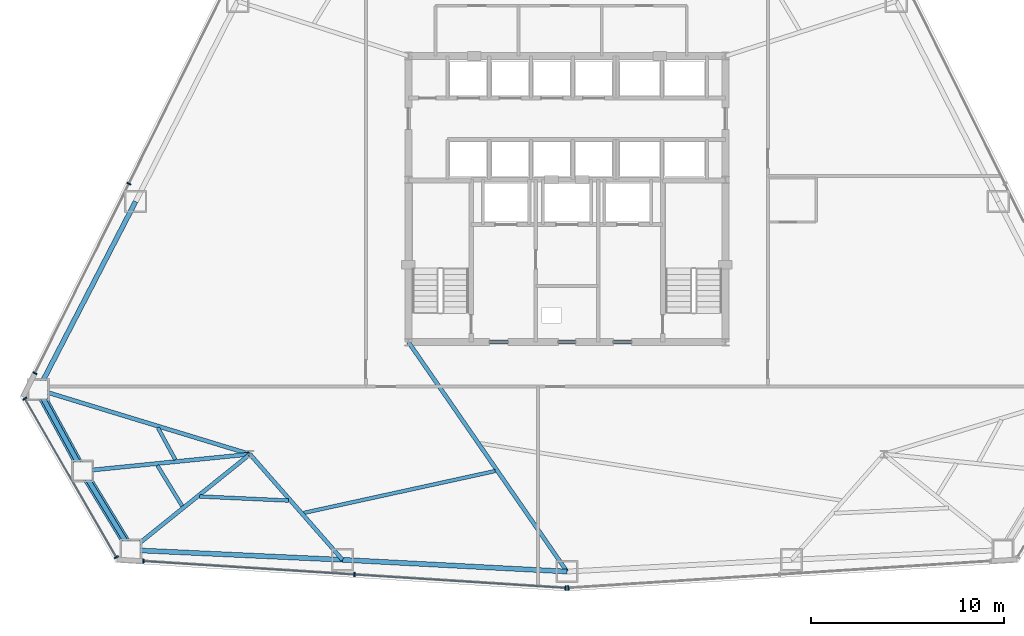
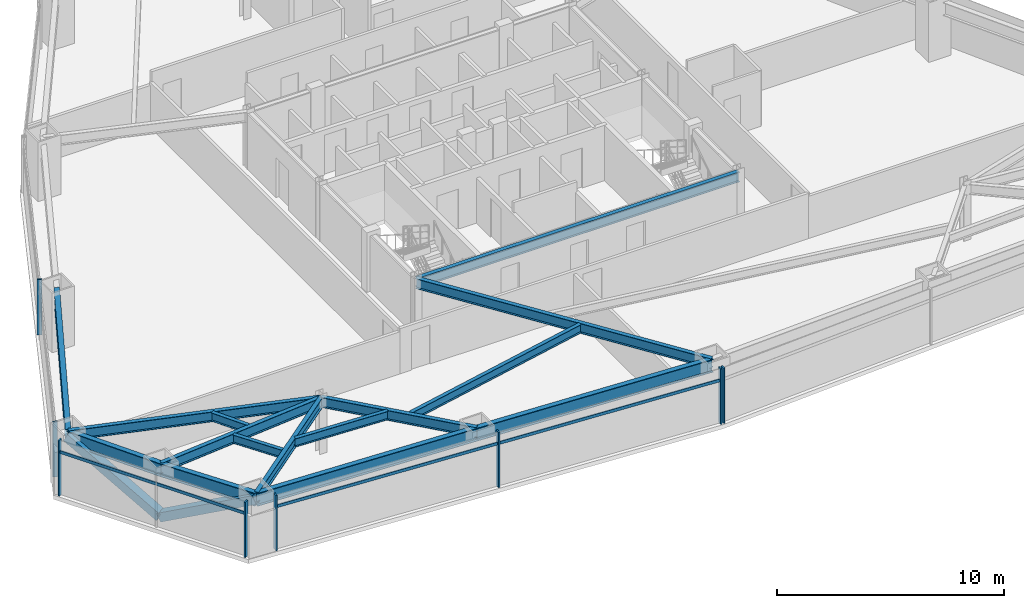
# One storey, part 4 of 12: 15 beams, 12 members, 4 elements without a shape of their own.
"""IFC4 building model written with IfcOpenShell, lengths in metres."""

from ifc_helpers import new_model, si_unit, direction, frame, origin, origin_2d, place, context, subcontext, project, spatial, rectangle, hollow_rectangle, i_section, extrude, source, transform, mapped, material, layer, layer_set, material_profile, profile_set, type_object, type_shapes, element, aggregate, save


model = new_model("IFC4")

# Units and contexts
model_context = context("Model", 3, precision=1e-05, world=origin(), true_north=direction((0.0, 1.0)))
body_context = subcontext(model_context, "Body", "Model", "MODEL_VIEW")
ifc_project = project(units=[si_unit("LENGTHUNIT", "METRE"), si_unit("AREAUNIT", "SQUARE_METRE"), si_unit("VOLUMEUNIT", "CUBIC_METRE"), si_unit("PLANEANGLEUNIT", "RADIAN"), si_unit("MASSUNIT", "GRAM", prefix="KILO")], contexts=[model_context])

# Site, building, storey
site_placement = place(None, origin())
site = spatial("IfcSite", under=ifc_project, at=site_placement, CompositionType="ELEMENT")
building_placement = place(site_placement, origin())
building = spatial("IfcBuilding", under=site, at=building_placement, Name="Varakhsha Concourse Tower", CompositionType="ELEMENT")
storey_placement = place(building_placement, frame((0.0, 0.0, 62.39990234375)))
storey = spatial("IfcBuildingStorey", under=building, at=storey_placement, Name="L17", CompositionType="ELEMENT", Elevation=62.39990234375)

# Beams
ifc_material_1 = material(Name="Structural Steel ASTM A992 Grade 50", Category="steel")
ifc_material_profile_1 = material_profile(ifc_material_1, i_section(OverallWidth=0.19091796875, OverallDepth=0.45703125, WebThickness=0.009033203125, FlangeThickness=0.013916015625, at=origin_2d()), Name="W18X50")
ifc_profile_set_1 = profile_set([ifc_material_profile_1], Name="Structural Steel ASTM A992 Grade 50")
beam_type_1 = type_object("IfcBeamType", Name="BM-JST-W18X50", PredefinedType="JOIST", material=ifc_profile_set_1)
beam_1_placement = place(storey_placement, frame((18.834228515625, 11.9736328125, 2.751708984375), z_axis=(0.478526062289, -0.878073349846, 0.0), x_axis=(0.878073349846, 0.478526062289, 0.0)))
element("IfcBeam", 1, at=beam_1_placement, inside=storey, type_object=beam_type_1, Name="BM-TJST-L17-07", PredefinedType="JOIST", context=body_context, shape_type="SweptSolid", body=[
    extrude(i_section(OverallWidth=0.19091796875, OverallDepth=0.45703125, WebThickness=0.009033203125, FlangeThickness=0.013916015625, at=origin_2d()), origin(), (0.0, 0.0, 1.0), 1.888671875),
])
beam_2_placement = place(storey_placement, frame((18.80908203125, 10.0205078125, 2.751708984375), z_axis=(0.521241559625, -0.853409184694, 0.0), x_axis=(0.853409184694, 0.521241559625, 0.0)))
element("IfcBeam", 2, at=beam_2_placement, inside=storey, type_object=beam_type_1, Name="BM-TJST-L17-08", PredefinedType="JOIST", context=body_context, shape_type="SweptSolid", body=[
    extrude(i_section(OverallWidth=0.19091796875, OverallDepth=0.45703125, WebThickness=0.009033203125, FlangeThickness=0.013916015625, at=origin_2d()), origin(), (0.0, 0.0, 1.0), 2.463623046875),
])
beam_3_placement = place(storey_placement, frame((20.999755859375, 8.413818359375, 2.751708984375), z_axis=(0.998933788082, -0.04616586431, 0.0), x_axis=(0.04616586431, 0.998933788082, 0.0)))
element("IfcBeam", 3, at=beam_3_placement, inside=storey, type_object=beam_type_1, Name="BM-TJST-L17-09", PredefinedType="JOIST", context=body_context, shape_type="SweptSolid", body=[
    extrude(i_section(OverallWidth=0.19091796875, OverallDepth=0.45703125, WebThickness=0.009033203125, FlangeThickness=0.013916015625, at=origin_2d()), origin(), (0.0, 0.0, 1.0), 4.600830078125),
])
beam_4_placement = place(storey_placement, frame((26.38720703125, 7.564208984375, 2.751708984375), z_axis=(0.976899545769, 0.213699034803, 0.0), x_axis=(-0.213699034803, 0.976899545769, 0.0)))
element("IfcBeam", 4, at=beam_4_placement, inside=storey, type_object=beam_type_1, Name="BM-TJST-L17-10", PredefinedType="JOIST", context=body_context, shape_type="SweptSolid", body=[
    extrude(i_section(OverallWidth=0.19091796875, OverallDepth=0.45703125, WebThickness=0.009033203125, FlangeThickness=0.013916015625, at=origin_2d()), origin(), (0.0, 0.0, 1.0), 10.13134765625),
])
ifc_material_profile_2 = material_profile(ifc_material_1, i_section(OverallWidth=0.2109375, OverallDepth=0.5390625, WebThickness=0.011962890625, FlangeThickness=0.01904296875, at=origin_2d()), Name="W21X73")
ifc_profile_set_2 = profile_set([ifc_material_profile_2], Name="Structural Steel ASTM A992 Grade 50")
beam_type_2 = type_object("IfcBeamType", Name="BM-RAD-W21X73", PredefinedType="BEAM", material=ifc_profile_set_2)
beam_5_placement = place(storey_placement, frame((31.800048828125, 16.39990234375, 2.710693359375), z_axis=(1.0, 0.0, 0.0), x_axis=(0.0, 1.0, 0.0)))
element("IfcBeam", 5, at=beam_5_placement, inside=storey, type_object=beam_type_2, Name="BM-TCORE-L17-CS", PredefinedType="BEAM", context=body_context, shape_type="SweptSolid", body=[
    extrude(i_section(OverallWidth=0.2109375, OverallDepth=0.5390625, WebThickness=0.011962890625, FlangeThickness=0.01904296875, at=origin_2d()), origin(), (0.0, 0.0, 1.0), 16.39990234375),
])
beam_6_placement = place(storey_placement, frame((23.60009765625, 10.60009765625, 2.710693359375), z_axis=(-0.956467040209, 0.291840369026, 0.0), x_axis=(-0.291840369026, -0.956467040209, 0.0)))
element("IfcBeam", 6, at=beam_6_placement, inside=storey, type_object=beam_type_2, Name="L17 Radial Floor Girder 07", PredefinedType="BEAM", context=body_context, shape_type="SweptSolid", body=[
    extrude(i_section(OverallWidth=0.2109375, OverallDepth=0.5390625, WebThickness=0.011962890625, FlangeThickness=0.01904296875, at=origin_2d()), origin(), (0.0, 0.0, 1.0), 11.448974609375),
])
beam_7_placement = place(storey_placement, frame((23.60009765625, 10.60009765625, 2.710693359375), z_axis=(-0.995021064191, -0.099664847443, 0.0), x_axis=(0.099664847443, -0.995021064191, 0.0)))
element("IfcBeam", 7, at=beam_7_placement, inside=storey, type_object=beam_type_2, Name="L17 Radial Floor Girder 08", PredefinedType="BEAM", context=body_context, shape_type="SweptSolid", body=[
    extrude(i_section(OverallWidth=0.2109375, OverallDepth=0.5390625, WebThickness=0.011962890625, FlangeThickness=0.01904296875, at=origin_2d()), origin(), (0.0, 0.0, 1.0), 8.700927734375),
])
beam_8_placement = place(storey_placement, frame((23.60009765625, 10.60009765625, 2.710693359375), z_axis=(-0.779042952089, -0.626970556566, 0.0), x_axis=(0.626970556566, -0.779042952089, 0.0)))
element("IfcBeam", 8, at=beam_8_placement, inside=storey, type_object=beam_type_2, Name="L17 Radial Floor Girder 09", PredefinedType="BEAM", context=body_context, shape_type="SweptSolid", body=[
    extrude(i_section(OverallWidth=0.2109375, OverallDepth=0.5390625, WebThickness=0.011962890625, FlangeThickness=0.01904296875, at=origin_2d()), origin(), (0.0, 0.0, 1.0), 7.90673828125),
])
beam_9_placement = place(storey_placement, frame((23.60009765625, 10.60009765625, 2.710693359375), z_axis=(0.658904355751, -0.75222672777, 0.0), x_axis=(0.75222672777, 0.658904355751, 0.0)))
element("IfcBeam", 9, at=beam_9_placement, inside=storey, type_object=beam_type_2, Name="L17 Radial Floor Girder 10", PredefinedType="BEAM", context=body_context, shape_type="SweptSolid", body=[
    extrude(i_section(OverallWidth=0.2109375, OverallDepth=0.5390625, WebThickness=0.011962890625, FlangeThickness=0.01904296875, at=origin_2d()), origin(), (0.0, 0.0, 1.0), 7.26220703125),
])
beam_10_placement = place(storey_placement, frame((31.800048828125, 16.39990234375, 2.710693359375), z_axis=(0.568374595771, -0.822769906403, 0.0), x_axis=(0.822769906403, 0.568374595771, 0.0)))
element("IfcBeam", 10, at=beam_10_placement, inside=storey, type_object=beam_type_2, Name="L17 Radial Floor Girder 11", PredefinedType="BEAM", context=body_context, shape_type="SweptSolid", body=[
    extrude(i_section(OverallWidth=0.2109375, OverallDepth=0.5390625, WebThickness=0.011962890625, FlangeThickness=0.01904296875, at=origin_2d()), origin(), (0.0, 0.0, 1.0), 14.427001953125),
])
ifc_material_profile_3 = material_profile(ifc_material_1, i_section(OverallWidth=0.25390625, OverallDepth=0.701904296875, WebThickness=0.014892578125, FlangeThickness=0.028076171875, at=origin_2d()), Name="W27X129")
ifc_profile_set_3 = profile_set([ifc_material_profile_3], Name="Structural Steel ASTM A992 Grade 50")
beam_type_3 = type_object("IfcBeamType", Name="BM-SPAN-W27X129", PredefinedType="SPANDREL", material=ifc_profile_set_3)
beam_11_placement = place(storey_placement, frame((17.68359375, 23.672607421875, 2.629150390625), z_axis=(-0.459480507345, -0.888187853649, 0.0), x_axis=(0.888187853649, -0.459480507345, 0.0)))
element("IfcBeam", 11, at=beam_11_placement, inside=storey, type_object=beam_type_3, Name="BM-SPAN-L17-06", PredefinedType="SPANDREL", context=body_context, shape_type="SweptSolid", body=[
    extrude(i_section(OverallWidth=0.25390625, OverallDepth=0.701904296875, WebThickness=0.014892578125, FlangeThickness=0.028076171875, at=origin_2d()), origin(), (0.0, 0.0, 1.0), 10.956298828125),
])
for number, where, z_axis, x_axis, name in (
    (12, (12.6494140625, 13.94140625, 2.629150390625), (0.478438059968, -0.878121302995, 0.0), (0.878121302995, 0.478438059968, 0.0), "BM-SPAN-L17-07"),
    (13, (14.9423828125, 9.73291015625, 2.629150390625), (0.521229514311, -0.853416541562, 0.0), (0.853416541562, 0.521229514311, 0.0), "BM-SPAN-L17-08"),
):
    element("IfcBeam", number, at=place(storey_placement, frame(where, z_axis=z_axis, x_axis=x_axis)), inside=storey, type_object=beam_type_3, Name=name, PredefinedType="SPANDREL", context=body_context, shape_type="SweptSolid", body=[
        extrude(i_section(OverallWidth=0.25390625, OverallDepth=0.701904296875, WebThickness=0.014892578125, FlangeThickness=0.028076171875, at=origin_2d()), origin(), (0.0, 0.0, 1.0), 4.792724609375),
    ])
beam_12_placement = place(storey_placement, frame((17.4404296875, 5.642822265625, 2.629150390625), z_axis=(0.998934635381, -0.046147526876, 0.0), x_axis=(0.046147526876, 0.998934635381, 0.0)))
element("IfcBeam", 14, at=beam_12_placement, inside=storey, type_object=beam_type_3, Name="BM-SPAN-L17-09", PredefinedType="SPANDREL", context=body_context, shape_type="SweptSolid", body=[
    extrude(i_section(OverallWidth=0.25390625, OverallDepth=0.701904296875, WebThickness=0.014892578125, FlangeThickness=0.028076171875, at=origin_2d()), origin(), (0.0, 0.0, 1.0), 10.95654296875),
])
beam_13_placement = place(storey_placement, frame((28.38525390625, 5.13720703125, 2.629150390625), z_axis=(0.998635285896, -0.05222610231, 0.0), x_axis=(0.05222610231, 0.998635285896, 0.0)))
element("IfcBeam", 15, at=beam_13_placement, inside=storey, type_object=beam_type_3, Name="BM-SPAN-L17-10", PredefinedType="SPANDREL", context=body_context, shape_type="SweptSolid", body=[
    extrude(i_section(OverallWidth=0.25390625, OverallDepth=0.701904296875, WebThickness=0.014892578125, FlangeThickness=0.028076171875, at=origin_2d()), origin(), (0.0, 0.0, 1.0), 11.630615234375),
])

# Members
ifc_material_2 = material(Name="Structural Steel ASTM A500 Grade C", Category="steel")
ifc_material_profile_4 = material_profile(ifc_material_2, hollow_rectangle(XDim=0.449951171875, YDim=0.449951171875, WallThickness=0.01904296875, at=origin_2d()), Name="HSS 450x450x19")
ifc_profile_set_4 = profile_set([ifc_material_profile_4], Name="Structural Steel ASTM A500 Grade C")
member_type_1 = type_object("IfcMemberType", Name="MB-TUBE-HSS450", PredefinedType="BRACE", material=ifc_profile_set_4)
shared_shape_1 = source(origin(), body_context, "Body", "SweptSolid", [
    extrude(hollow_rectangle(XDim=0.449951171875, YDim=0.449951171875, WallThickness=0.01904296875, at=origin_2d()), origin(), (0.0, 0.0, 1.0), 5.43359375),
])
type_shapes(member_type_1, [shared_shape_1])
for number, where, z_axis, x_axis, name in (
    (16, (14.9423828125, 9.73291015625, 0.1201171875), (-0.422004965626, 0.774544463103, 0.471160995481), (-0.878121302995, -0.478438059968, 0.0), "L17 Wind-Corner Tube Brace B03"),
    (17, (14.9423828125, 9.73291015625, 0.1201171875), (0.459748854082, -0.752753376899, 0.471161697019), (0.853416541562, 0.521229514311, 0.0), "L17 Wind-Corner Tube Brace B04"),
):
    element("IfcMember", number, at=place(storey_placement, frame(where, z_axis=z_axis, x_axis=x_axis)), inside=storey, type_object=member_type_1, Name=name, PredefinedType="BRACE", context=body_context, shape_type="MappedRepresentation", body=[
        mapped(shared_shape_1, transform((0.0, 0.0, 0.0), scale=1.0)),
    ])

# Curtain wall, members
ifc_material_3 = material(Name="Anodised Bronze Architectural Aluminium AA 6063-T6", Category="aluminium")
ifc_layer = layer(ifc_material_3, 0.219970703125, Name="CW-SYS-02")
ifc_layer_set = layer_set([ifc_layer], Name="Anodised Bronze Architectural Aluminium AA 6063-T6")
curtain_wall_type = type_object("IfcCurtainWallType", Name="CW-SYS-02", PredefinedType="NOTDEFINED", material=ifc_layer_set)
curtain_wall_1_placement = place(storey_placement, origin())
curtain_wall_1 = element("IfcCurtainWall", 18, at=curtain_wall_1_placement, inside=storey, type_object=curtain_wall_type, Name="L17 Crystal Curtain Wall F3", PredefinedType="NOTDEFINED")
ifc_material_profile_5 = material_profile(ifc_material_3, rectangle(XDim=0.074951171875, YDim=0.219970703125, at=origin_2d()), Name="CWM-220X75")
ifc_profile_set_5 = profile_set([ifc_material_profile_5], Name="Anodised Bronze Architectural Aluminium AA 6063-T6")
member_type_2 = type_object("IfcMemberType", Name="CWM-220X75", PredefinedType="MULLION", material=ifc_profile_set_5)
shared_shape_2 = source(origin(), body_context, "Body", "SweptSolid", [
    extrude(rectangle(XDim=0.074951171875, YDim=0.219970703125, at=origin_2d()), origin(), (0.0, 0.0, 1.0), 2.97998046875),
])
type_shapes(member_type_2, [shared_shape_2])
member_1_placement = place(storey_placement, frame((12.475830078125, 14.787353515625, 0.0), z_axis=(0.0, 0.0, 1.0), x_axis=(0.444109829949, 0.895972353894, 0.0)))
member_1 = element("IfcMember", 19, at=member_1_placement, type_object=member_type_2, Name="CW-L17-F3 Mullion 00", PredefinedType="MULLION", context=body_context, shape_type="MappedRepresentation", body=[
    mapped(shared_shape_2, transform((0.0, 0.0, 0.0), scale=1.0)),
])
member_2_placement = place(storey_placement, frame((17.336181640625, 24.593017578125, 0.0), z_axis=(0.0, 0.0, 1.0), x_axis=(0.444109829949, 0.895972353894, 0.0)))
member_2 = element("IfcMember", 20, at=member_2_placement, type_object=member_type_2, Name="CW-L17-F3 Mullion 01", PredefinedType="MULLION", context=body_context, shape_type="MappedRepresentation", body=[
    mapped(shared_shape_2, transform((0.0, 0.0, 0.0), scale=1.0)),
])
aggregate(curtain_wall_1, [member_1, member_2])

curtain_wall_2_placement = place(storey_placement, origin())
curtain_wall_2 = element("IfcCurtainWall", 21, at=curtain_wall_2_placement, inside=storey, type_object=curtain_wall_type, Name="L17 Chamfer Curtain Wall F4", PredefinedType="NOTDEFINED")
member_3_placement = place(storey_placement, frame((16.6875, 5.2705078125, 0.0), z_axis=(0.0, 0.0, 1.0), x_axis=(-0.499995465495, 0.866028021766, 0.0)))
member_3 = element("IfcMember", 22, at=member_3_placement, type_object=member_type_2, Name="CW-L17-F4 Mullion 00", PredefinedType="MULLION", context=body_context, shape_type="MappedRepresentation", body=[
    mapped(shared_shape_2, transform((0.0, 0.0, 0.0), scale=1.0)),
])
member_4_placement = place(storey_placement, frame((11.950439453125, 13.4755859375, 0.0), z_axis=(0.0, 0.0, 1.0), x_axis=(-0.499995465495, 0.866028021766, 0.0)))
member_4 = element("IfcMember", 23, at=member_4_placement, type_object=member_type_2, Name="CW-L17-F4 Mullion 01", PredefinedType="MULLION", context=body_context, shape_type="MappedRepresentation", body=[
    mapped(shared_shape_2, transform((0.0, 0.0, 0.0), scale=1.0)),
])

curtain_wall_3_placement = place(storey_placement, origin())
curtain_wall_3 = element("IfcCurtainWall", 24, at=curtain_wall_3_placement, inside=storey, type_object=curtain_wall_type, Name="L17 Crystal Curtain Wall F5", PredefinedType="NOTDEFINED")
member_5_placement = place(storey_placement, frame((39.930419921875, 3.6826171875, 0.0), z_axis=(0.0, 0.0, 1.0), x_axis=(-0.997989623922, 0.063377523961, 0.0)))
member_5 = element("IfcMember", 25, at=member_5_placement, type_object=member_type_2, Name="CW-L17-F5 Mullion 00", PredefinedType="MULLION", context=body_context, shape_type="MappedRepresentation", body=[
    mapped(shared_shape_2, transform((0.0, 0.0, 0.0), scale=1.0)),
])
member_6_placement = place(storey_placement, frame((29.00830078125, 4.376220703125, 0.0), z_axis=(0.0, 0.0, 1.0), x_axis=(-0.997989623922, 0.063377523961, 0.0)))
member_6 = element("IfcMember", 26, at=member_6_placement, type_object=member_type_2, Name="CW-L17-F5 Mullion 01", PredefinedType="MULLION", context=body_context, shape_type="MappedRepresentation", body=[
    mapped(shared_shape_2, transform((0.0, 0.0, 0.0), scale=1.0)),
])
member_7_placement = place(storey_placement, frame((18.086181640625, 5.069580078125, 0.0), z_axis=(0.0, 0.0, 1.0), x_axis=(-0.997989623922, 0.063377523961, 0.0)))
member_7 = element("IfcMember", 27, at=member_7_placement, type_object=member_type_2, Name="CW-L17-F5 Mullion 02", PredefinedType="MULLION", context=body_context, shape_type="MappedRepresentation", body=[
    mapped(shared_shape_2, transform((0.0, 0.0, 0.0), scale=1.0)),
])

# Curtain wall, member
curtain_wall_4_placement = place(storey_placement, origin())
curtain_wall_4 = element("IfcCurtainWall", 28, at=curtain_wall_4_placement, inside=storey, type_object=curtain_wall_type, Name="L17 Crystal Curtain Wall F6", PredefinedType="NOTDEFINED")
member_8_placement = place(storey_placement, frame((40.069580078125, 3.6826171875, 0.0), z_axis=(0.0, 0.0, 1.0), x_axis=(-0.997989623922, -0.063377523961, 0.0)))
member_8 = element("IfcMember", 29, at=member_8_placement, type_object=member_type_2, Name="CW-L17-F6 Mullion 02", PredefinedType="MULLION", context=body_context, shape_type="MappedRepresentation", body=[
    mapped(shared_shape_2, transform((0.0, 0.0, 0.0), scale=1.0)),
])
aggregate(curtain_wall_4, [member_8])

# Member
ifc_material_profile_6 = material_profile(ifc_material_3, rectangle(XDim=0.06494140625, YDim=0.159912109375, at=origin_2d()), Name="CWT-160X65")
ifc_profile_set_6 = profile_set([ifc_material_profile_6], Name="Anodised Bronze Architectural Aluminium AA 6063-T6")
member_type_3 = type_object("IfcMemberType", Name="CWT-160X65", PredefinedType="USERDEFINED", material=ifc_profile_set_6)
shared_shape_3 = source(origin(), body_context, "Body", "SweptSolid", [
    extrude(rectangle(XDim=0.06494140625, YDim=0.159912109375, at=origin_2d()), origin(), (0.0, 0.0, 1.0), 9.474365234375),
])
member_9_placement = place(storey_placement, frame((16.6875, 5.2705078125, 2.330078125), z_axis=(-0.499988638952, 0.866031962989, 0.0), x_axis=(-0.866031962989, -0.499988638952, 0.0)))
member_9 = element("IfcMember", 30, at=member_9_placement, type_object=member_type_3, Name="CW-L17-F4 Transom 01", ObjectType="TRANSOM", PredefinedType="USERDEFINED", context=body_context, shape_type="MappedRepresentation", body=[
    mapped(shared_shape_3, transform((0.0, 0.0, 0.0), scale=1.0)),
])

aggregate(curtain_wall_2, [member_3, member_4, member_9])

shared_shape_4 = source(origin(), body_context, "Body", "SweptSolid", [
    extrude(rectangle(XDim=0.06494140625, YDim=0.159912109375, at=origin_2d()), origin(), (0.0, 0.0, 1.0), 21.88818359375),
])
type_shapes(member_type_3, [shared_shape_3, shared_shape_4])
member_10_placement = place(storey_placement, frame((39.930419921875, 3.6826171875, 2.330078125), z_axis=(-0.997990374256, 0.063365707537, 0.0), x_axis=(-0.063365707537, -0.997990374256, 0.0)))
member_10 = element("IfcMember", 31, at=member_10_placement, type_object=member_type_3, Name="CW-L17-F5 Transom 01", ObjectType="TRANSOM", PredefinedType="USERDEFINED", context=body_context, shape_type="MappedRepresentation", body=[
    mapped(shared_shape_4, transform((0.0, 0.0, 0.0), scale=1.0)),
])

aggregate(curtain_wall_3, [member_5, member_6, member_7, member_10])

save(model, "model.ifc")
